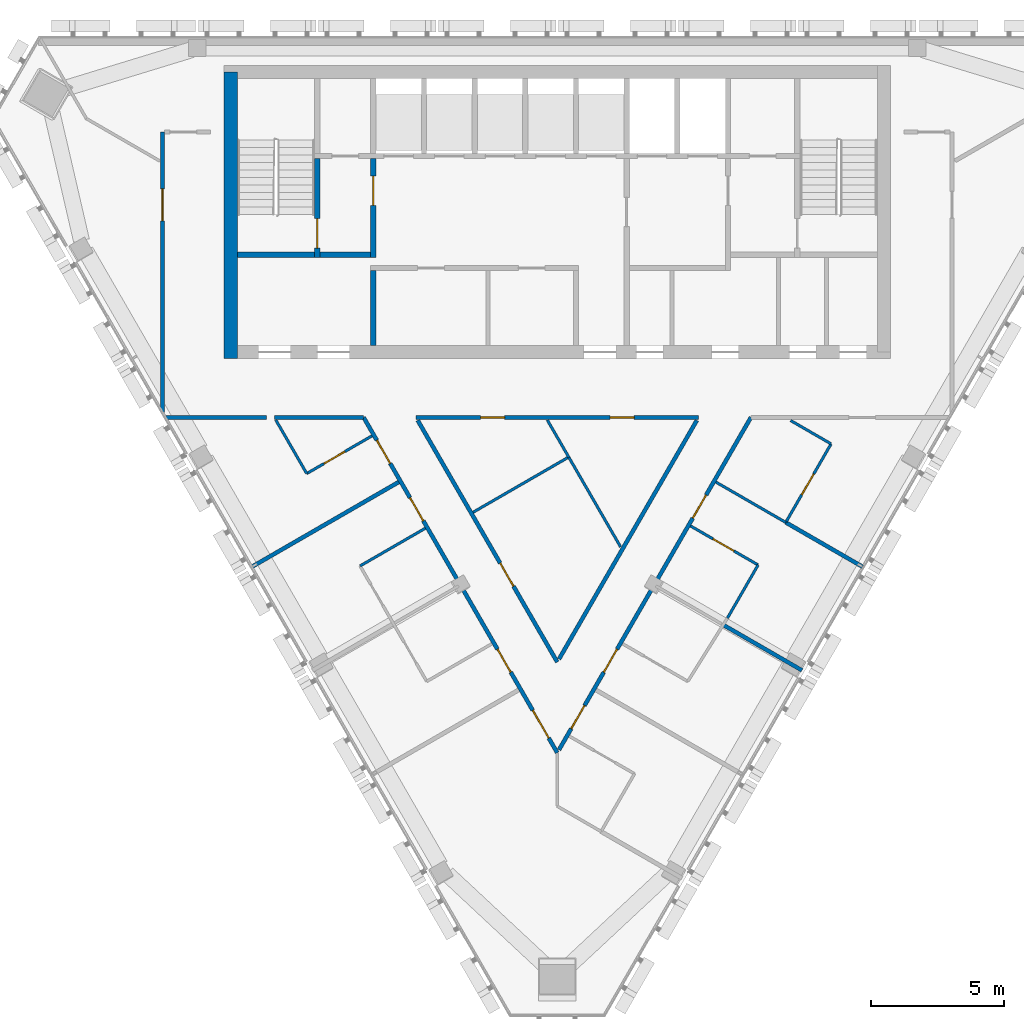
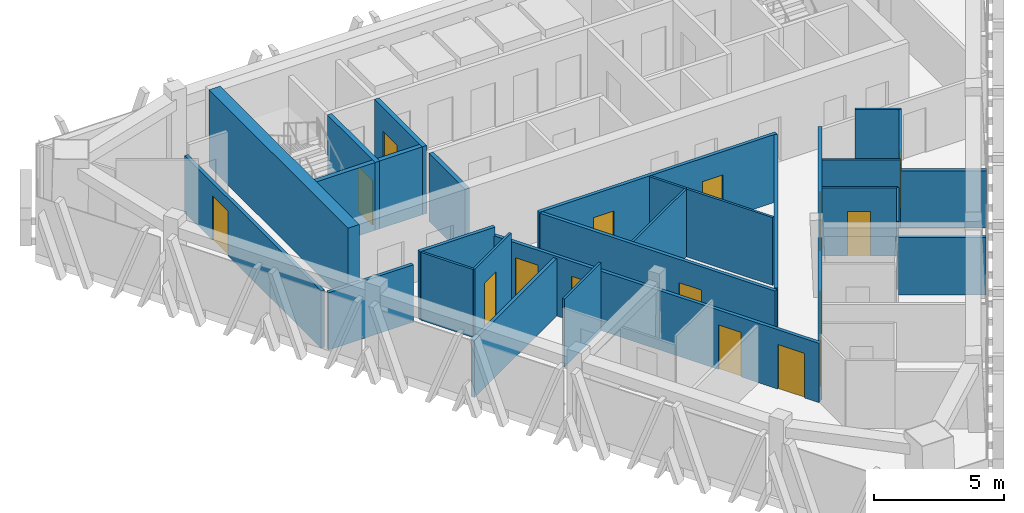
# One storey, part 6 of 11: 28 walls, 16 doors, 16 openings.
"""IFC4 building model written with IfcOpenShell, lengths in metres."""

from ifc_helpers import new_model, si_unit, direction, frame, frame_2d, origin, place, context, subcontext, project, spatial, rectangle, extrude, material, layer, layer_set, type_object, element, fill, save


model = new_model("IFC4")

# Units and contexts
model_context = context("Model", 3, precision=1e-05, world=origin(), true_north=direction((0.0, 1.0)))
body_context = subcontext(model_context, "Body", "Model", "MODEL_VIEW")
ifc_project = project(units=[si_unit("LENGTHUNIT", "METRE"), si_unit("AREAUNIT", "SQUARE_METRE"), si_unit("VOLUMEUNIT", "CUBIC_METRE"), si_unit("PLANEANGLEUNIT", "RADIAN"), si_unit("MASSUNIT", "GRAM", prefix="KILO")], contexts=[model_context])

# Site, building, storey
site_placement = place(None, origin())
site = spatial("IfcSite", under=ifc_project, at=site_placement, CompositionType="ELEMENT")
building_placement = place(site_placement, origin())
building = spatial("IfcBuilding", under=site, at=building_placement, Name="Altiplano Prism Tower", CompositionType="ELEMENT")
storey_placement = place(building_placement, frame((0.0, 0.0, 327.39990234375)))
storey = spatial("IfcBuildingStorey", under=building, at=storey_placement, Name="L85", CompositionType="ELEMENT", Elevation=327.39990234375)

# Wall
ifc_material_1 = material(Name="Concrete C60/75", Category="concrete")
ifc_layer_1 = layer(ifc_material_1, 0.5)
ifc_layer_set_1 = layer_set([ifc_layer_1], Name="Concrete C60/75")
wall_type_1 = type_object("IfcWallType", Name="Core wall 500", PredefinedType="SHEAR", material=ifc_layer_set_1)
wall_1_placement = place(storey_placement, frame((72.75, 103.64990234375, 0.0), z_axis=(0.0, 0.0, 1.0), x_axis=(0.0, -1.0, 0.0)))
element("IfcWall", 1, at=wall_1_placement, inside=storey, type_object=wall_type_1, Name="Core wall W L85", PredefinedType="SHEAR", context=body_context, shape_type="SweptSolid", body=[
    extrude(rectangle(XDim=10.75, YDim=0.5, at=frame_2d((5.375, 0.0))), origin(), (0.0, 0.0, 1.0), 3.60009765625),
])

# Wall, opening, door
ifc_material_2 = material(Name="Plasterboard on steel stud", Category="steel")
ifc_layer_2 = layer(ifc_material_2, 0.10009765625)
ifc_layer_set_2 = layer_set([ifc_layer_2], Name="Plasterboard on steel stud")
wall_type_2 = type_object("IfcWallType", Name="Partition 100 unit", PredefinedType="PARTITIONING", material=ifc_layer_set_2)
wall_2_placement = place(storey_placement, frame((78.052490234375, 90.00537109375, 0.0), z_axis=(0.0, 0.0, 1.0), x_axis=(-0.866048868473, -0.499959355765, 0.0)))
wall_2 = element("IfcWall", 2, at=wall_2_placement, inside=storey, type_object=wall_type_2, Name="Partition P02 L85 018", PredefinedType="PARTITIONING", context=body_context, shape_type="SweptSolid", body=[
    extrude(rectangle(XDim=2.824951171875, YDim=0.10009765625, at=frame_2d((1.41259765625, 0.0))), origin(), (0.0, 0.0, 1.0), 3.2001953125),
])
opening_1_placement = place(wall_2_placement, frame((1.178955078125, 0.0, 0.0)))
opening_1 = element("IfcOpeningElement", 3, at=opening_1_placement, cuts=wall_2, Name="Opening D2466", PredefinedType="OPENING", context=body_context, shape_type="SweptSolid", body=[
    extrude(rectangle(XDim=0.89990234375, YDim=2.10009765625, at=frame_2d((0.449951171875, 1.050048828125))), frame((0.0, 0.060546875, 0.0), z_axis=(0.0, -1.0, 0.0), x_axis=(1.0, 0.0, 0.0)), (0.0, 0.0, 1.0), 0.12109375),
])
ifc_material_3 = material(Name="Timber", Category="wood")
door_type_1 = type_object("IfcDoorType", Name="Ensuite door 900 x 2100", OperationType="NOTDEFINED", PredefinedType="NOTDEFINED", material=ifc_material_3)
door_1_placement = place(opening_1_placement, origin())
door_1 = element("IfcDoor", 4, at=door_1_placement, inside=storey, type_object=door_type_1, Name="Door D2466", OperationType="SINGLE_SWING_RIGHT", OverallHeight=2.10009765625, OverallWidth=0.89990234375, PredefinedType="NOTDEFINED", context=body_context, shape_type="SweptSolid", body=[
    extrude(rectangle(XDim=0.89990234375, YDim=2.10009765625, at=frame_2d((0.449951171875, 1.050048828125))), frame((0.0, 0.02490234375, 0.0), z_axis=(0.0, -1.0, 0.0), x_axis=(1.0, 0.0, 0.0)), (0.0, 0.0, 1.0), 0.050048828125),
])
fill(opening_1, door_1)

# Walls
wall_3_placement = place(storey_placement, frame((75.60595703125, 88.593017578125, 0.0), z_axis=(0.0, 0.0, 1.0), x_axis=(-0.500047673657, 0.865997877636, 0.0)))
element("IfcWall", 5, at=wall_3_placement, inside=storey, type_object=wall_type_2, Name="Partition P02 L85 019", PredefinedType="PARTITIONING", context=body_context, shape_type="SweptSolid", body=[
    extrude(rectangle(XDim=2.317626953125, YDim=0.10009765625, at=frame_2d((1.15869140625, 0.0))), origin(), (0.0, 0.0, 1.0), 3.2001953125),
])
wall_4_placement = place(storey_placement, frame((77.60595703125, 85.12890625, 0.0), z_axis=(0.0, 0.0, 1.0), x_axis=(0.866048868473, 0.499959355765, 0.0)))
element("IfcWall", 6, at=wall_4_placement, inside=storey, type_object=wall_type_2, Name="Partition P02 L85 022", PredefinedType="PARTITIONING", context=body_context, shape_type="SweptSolid", body=[
    extrude(rectangle(XDim=2.824951171875, YDim=0.10009765625, at=frame_2d((1.41259765625, 0.0))), origin(), (0.0, 0.0, 1.0), 3.2001953125),
])

# Wall, opening, door
wall_5_placement = place(storey_placement, frame((89.99755859375, 86.6279296875, 0.0), z_axis=(0.0, 0.0, 1.0), x_axis=(0.866046596414, -0.499963291492, 0.0)))
wall_5 = element("IfcWall", 7, at=wall_5_placement, inside=storey, type_object=wall_type_2, Name="Partition P02 L85 037", PredefinedType="PARTITIONING", context=body_context, shape_type="SweptSolid", body=[
    extrude(rectangle(XDim=2.925048828125, YDim=0.10009765625, at=frame_2d((1.46240234375, 0.0))), origin(), (0.0, 0.0, 1.0), 3.2001953125),
])
opening_2_placement = place(wall_5_placement, frame((0.97509765625, 0.0, 0.0)))
opening_2 = element("IfcOpeningElement", 8, at=opening_2_placement, cuts=wall_5, Name="Opening D2477", PredefinedType="OPENING", context=body_context, shape_type="SweptSolid", body=[
    extrude(rectangle(XDim=0.89990234375, YDim=2.10009765625, at=frame_2d((0.449951171875, 1.050048828125))), frame((0.0, 0.060546875, 0.0), z_axis=(0.0, -1.0, 0.0), x_axis=(1.0, 0.0, 0.0)), (0.0, 0.0, 1.0), 0.12109375),
])
door_2_placement = place(opening_2_placement, origin())
door_2 = element("IfcDoor", 9, at=door_2_placement, inside=storey, type_object=door_type_1, Name="Door D2477", OperationType="SINGLE_SWING_LEFT", OverallHeight=2.10009765625, OverallWidth=0.89990234375, PredefinedType="NOTDEFINED", context=body_context, shape_type="SweptSolid", body=[
    extrude(rectangle(XDim=0.89990234375, YDim=2.10009765625, at=frame_2d((0.449951171875, 1.050048828125))), frame((0.0, 0.02490234375, 0.0), z_axis=(0.0, -1.0, 0.0), x_axis=(1.0, 0.0, 0.0)), (0.0, 0.0, 1.0), 0.050048828125),
])
fill(opening_2, door_2)

# Walls
wall_6_placement = place(storey_placement, frame((92.53076171875, 85.16552734375, 0.0), z_axis=(0.0, 0.0, 1.0), x_axis=(-0.499952165731, -0.866053019151, 0.0)))
element("IfcWall", 10, at=wall_6_placement, inside=storey, type_object=wall_type_2, Name="Partition P02 L85 038", PredefinedType="PARTITIONING", context=body_context, shape_type="SweptSolid", body=[
    extrude(rectangle(XDim=2.300048828125, YDim=0.10009765625, at=frame_2d((1.14990234375, 0.0))), origin(), (0.0, 0.0, 1.0), 3.2001953125),
])
wall_7_placement = place(storey_placement, frame((93.74951171875, 90.581787109375, 0.0), z_axis=(0.0, 0.0, 1.0), x_axis=(0.865988405058, -0.500064078198, 0.0)))
element("IfcWall", 11, at=wall_7_placement, inside=storey, type_object=wall_type_2, Name="Partition P02 L85 041", PredefinedType="PARTITIONING", context=body_context, shape_type="SweptSolid", body=[
    extrude(rectangle(XDim=1.752685546875, YDim=0.10009765625, at=frame_2d((0.87646484375, 0.0))), origin(), (0.0, 0.0, 1.0), 3.2001953125),
])

# Wall, opening, door
wall_8_placement = place(storey_placement, frame((95.267333984375, 89.705322265625, 0.0), z_axis=(0.0, 0.0, 1.0), x_axis=(-0.500008388397, -0.866020560687, 0.0)))
wall_8 = element("IfcWall", 12, at=wall_8_placement, inside=storey, type_object=wall_type_2, Name="Partition P02 L85 042", PredefinedType="PARTITIONING", context=body_context, shape_type="SweptSolid", body=[
    extrude(rectangle(XDim=3.39990234375, YDim=0.10009765625, at=frame_2d((1.699951171875, 0.0))), origin(), (0.0, 0.0, 1.0), 3.2001953125),
])
opening_3_placement = place(wall_8_placement, frame((1.302001953125, 0.0, 0.0)))
opening_3 = element("IfcOpeningElement", 13, at=opening_3_placement, cuts=wall_8, Name="Opening D2479", PredefinedType="OPENING", context=body_context, shape_type="SweptSolid", body=[
    extrude(rectangle(XDim=0.89990234375, YDim=2.10009765625, at=frame_2d((0.449951171875, 1.050048828125))), frame((0.0, 0.060546875, 0.0), z_axis=(0.0, -1.0, 0.0), x_axis=(1.0, 0.0, 0.0)), (0.0, 0.0, 1.0), 0.12109375),
])
door_3_placement = place(opening_3_placement, origin())
door_3 = element("IfcDoor", 14, at=door_3_placement, inside=storey, type_object=door_type_1, Name="Door D2479", OperationType="SINGLE_SWING_RIGHT", OverallHeight=2.10009765625, OverallWidth=0.89990234375, PredefinedType="NOTDEFINED", context=body_context, shape_type="SweptSolid", body=[
    extrude(rectangle(XDim=0.89990234375, YDim=2.10009765625, at=frame_2d((0.449951171875, 1.050048828125))), frame((0.0, 0.02490234375, 0.0), z_axis=(0.0, -1.0, 0.0), x_axis=(1.0, 0.0, 0.0)), (0.0, 0.0, 1.0), 0.050048828125),
])
fill(opening_3, door_3)

# Walls
ifc_layer_3 = layer(ifc_material_2, 0.10009765625)
ifc_layer_set_3 = layer_set([ifc_layer_3], Name="Plasterboard on steel stud")
wall_type_3 = type_object("IfcWallType", Name="Partition 100 wet", PredefinedType="PARTITIONING", material=ifc_layer_set_3)
wall_9_placement = place(storey_placement, frame((85.43896484375, 89.193603515625, 0.0), z_axis=(0.0, 0.0, 1.0), x_axis=(-0.500021943523, 0.866012734315, 0.0)))
element("IfcWall", 15, at=wall_9_placement, inside=storey, type_object=wall_type_3, Name="Partition P03 L85 013", PredefinedType="PARTITIONING", context=body_context, shape_type="SweptSolid", body=[
    extrude(rectangle(XDim=1.623046875, YDim=0.10009765625, at=frame_2d((0.8115234375, 0.0))), origin(), (0.0, 0.0, 1.0), 3.2001953125),
])
wall_10_placement = place(storey_placement, frame((81.843505859375, 87.140869140625, 0.0), z_axis=(0.0, 0.0, 1.0), x_axis=(0.866024536972, 0.500001501361, 0.0)))
element("IfcWall", 16, at=wall_10_placement, inside=storey, type_object=wall_type_3, Name="Partition P03 L85 014", PredefinedType="PARTITIONING", context=body_context, shape_type="SweptSolid", body=[
    extrude(rectangle(XDim=4.14013671875, YDim=0.10009765625, at=frame_2d((2.070068359375, 0.0))), origin(), (0.0, 0.0, 1.0), 3.2001953125),
])
wall_11_placement = place(storey_placement, frame((85.428955078125, 89.2109375, 0.0), z_axis=(0.0, 0.0, 1.0), x_axis=(0.499982980259, -0.866035229914, 0.0)))
element("IfcWall", 17, at=wall_11_placement, inside=storey, type_object=wall_type_3, Name="Partition P03 L85 015", PredefinedType="PARTITIONING", context=body_context, shape_type="SweptSolid", body=[
    extrude(rectangle(XDim=3.893798828125, YDim=0.10009765625, at=frame_2d((1.94677734375, 0.0))), origin(), (0.0, 0.0, 1.0), 3.2001953125),
])
wall_12_placement = place(storey_placement, frame((93.5673828125, 86.760986328125, 0.0), z_axis=(0.0, 0.0, 1.0), x_axis=(-0.866024298998, 0.500001913541, 0.0)))
element("IfcWall", 18, at=wall_12_placement, inside=storey, type_object=wall_type_3, Name="Partition P03 L85 040", PredefinedType="PARTITIONING", context=body_context, shape_type="SweptSolid", body=[
    extrude(rectangle(XDim=3.02490234375, YDim=0.10009765625, at=frame_2d((1.512451171875, 0.0))), origin(), (0.0, 0.0, 1.0), 3.2001953125),
])

# Wall, openings, doors
ifc_layer_4 = layer(ifc_material_2, 0.14990234375)
ifc_layer_set_4 = layer_set([ifc_layer_4], Name="Plasterboard on steel stud")
wall_type_4 = type_object("IfcWallType", Name="Partition 150 corridor", PredefinedType="PARTITIONING", material=ifc_layer_set_4)
wall_13_placement = place(storey_placement, frame((79.70263671875, 90.698974609375, 0.0), z_axis=(0.0, 0.0, 1.0), x_axis=(1.0, 0.0, 0.0)))
wall_13 = element("IfcWall", 19, at=wall_13_placement, inside=storey, type_object=wall_type_4, Name="Partition P06 L85 001", PredefinedType="PARTITIONING", context=body_context, shape_type="SweptSolid", body=[
    extrude(rectangle(XDim=10.5947265625, YDim=0.14990234375, at=frame_2d((5.29736328125, 0.0))), origin(), (0.0, 0.0, 1.0), 3.2001953125),
])
opening_4_placement = place(wall_13_placement, frame((2.423095703125, 0.0, 0.0)))
opening_4 = element("IfcOpeningElement", 20, at=opening_4_placement, cuts=wall_13, Name="Opening D2461", PredefinedType="OPENING", context=body_context, shape_type="SweptSolid", body=[
    extrude(rectangle(XDim=0.89990234375, YDim=2.10009765625, at=frame_2d((0.449951171875, 1.050048828125))), frame((0.0, 0.08544921875, 0.0), z_axis=(0.0, -1.0, 0.0), x_axis=(1.0, 0.0, 0.0)), (0.0, 0.0, 1.0), 0.1708984375),
])
opening_5_placement = place(wall_13_placement, frame((7.281005859375, 0.0, 0.0)))
opening_5 = element("IfcOpeningElement", 21, at=opening_5_placement, cuts=wall_13, Name="Opening D2462", PredefinedType="OPENING", context=body_context, shape_type="SweptSolid", body=[
    extrude(rectangle(XDim=0.89990234375, YDim=2.10009765625, at=frame_2d((0.449951171875, 1.050048828125))), frame((0.0, 0.08544921875, 0.0), z_axis=(0.0, -1.0, 0.0), x_axis=(1.0, 0.0, 0.0)), (0.0, 0.0, 1.0), 0.1708984375),
])
door_type_2 = type_object("IfcDoorType", Name="Toilet door 900 x 2100", OperationType="NOTDEFINED", PredefinedType="NOTDEFINED", material=ifc_material_3)
door_4_placement = place(opening_4_placement, origin())
door_4 = element("IfcDoor", 22, at=door_4_placement, inside=storey, type_object=door_type_2, Name="Door D2461", OperationType="SINGLE_SWING_LEFT", OverallHeight=2.10009765625, OverallWidth=0.89990234375, PredefinedType="NOTDEFINED", context=body_context, shape_type="SweptSolid", body=[
    extrude(rectangle(XDim=0.89990234375, YDim=2.10009765625, at=frame_2d((0.449951171875, 1.050048828125))), frame((0.0, 0.02490234375, 0.0), z_axis=(0.0, -1.0, 0.0), x_axis=(1.0, 0.0, 0.0)), (0.0, 0.0, 1.0), 0.050048828125),
])
fill(opening_4, door_4)
door_5_placement = place(opening_5_placement, origin())
door_5 = element("IfcDoor", 23, at=door_5_placement, inside=storey, type_object=door_type_2, Name="Door D2462", OperationType="SINGLE_SWING_LEFT", OverallHeight=2.10009765625, OverallWidth=0.89990234375, PredefinedType="NOTDEFINED", context=body_context, shape_type="SweptSolid", body=[
    extrude(rectangle(XDim=0.89990234375, YDim=2.10009765625, at=frame_2d((0.449951171875, 1.050048828125))), frame((0.0, 0.02490234375, 0.0), z_axis=(0.0, -1.0, 0.0), x_axis=(1.0, 0.0, 0.0)), (0.0, 0.0, 1.0), 0.050048828125),
])
fill(opening_5, door_5)

# Wall
wall_14_placement = place(storey_placement, frame((90.232421875, 90.58642578125, 0.0), z_axis=(0.0, 0.0, 1.0), x_axis=(-0.500006008485, -0.866021934756, 0.0)))
element("IfcWall", 24, at=wall_14_placement, inside=storey, type_object=wall_type_4, Name="Partition P06 L85 002", PredefinedType="PARTITIONING", context=body_context, shape_type="SweptSolid", body=[
    extrude(rectangle(XDim=10.334716796875, YDim=0.14990234375, at=frame_2d((5.16748046875, 0.0))), origin(), (0.0, 0.0, 1.0), 3.2001953125),
])

# Wall, opening, door
wall_15_placement = place(storey_placement, frame((85.0, 81.52392578125, 0.0), z_axis=(0.0, 0.0, 1.0), x_axis=(-0.500013263306, 0.866017746076, 0.0)))
wall_15 = element("IfcWall", 25, at=wall_15_placement, inside=storey, type_object=wall_type_4, Name="Partition P06 L85 003", PredefinedType="PARTITIONING", context=body_context, shape_type="SweptSolid", body=[
    extrude(rectangle(XDim=10.464599609375, YDim=0.14990234375, at=frame_2d((5.232421875, 0.0))), origin(), (0.0, 0.0, 1.0), 3.2001953125),
])
opening_6_placement = place(wall_15_placement, frame((3.282958984375, 0.0, 0.0)))
opening_6 = element("IfcOpeningElement", 26, at=opening_6_placement, cuts=wall_15, Name="Opening D2463", PredefinedType="OPENING", context=body_context, shape_type="SweptSolid", body=[
    extrude(rectangle(XDim=1.0, YDim=2.10009765625, at=frame_2d((0.5, 1.050048828125))), frame((0.0, 0.08544921875, 0.0), z_axis=(0.0, -1.0, 0.0), x_axis=(1.0, 0.0, 0.0)), (0.0, 0.0, 1.0), 0.1708984375),
])
door_type_3 = type_object("IfcDoorType", Name="Store door 1000 x 2100", OperationType="NOTDEFINED", PredefinedType="NOTDEFINED", material=ifc_material_3)
door_6_placement = place(opening_6_placement, origin())
door_6 = element("IfcDoor", 27, at=door_6_placement, inside=storey, type_object=door_type_3, Name="Door D2463", OperationType="SINGLE_SWING_RIGHT", OverallHeight=2.10009765625, OverallWidth=1.0, PredefinedType="NOTDEFINED", context=body_context, shape_type="SweptSolid", body=[
    extrude(rectangle(XDim=1.0, YDim=2.10009765625, at=frame_2d((0.5, 1.050048828125))), frame((0.0, 0.02490234375, 0.0), z_axis=(0.0, -1.0, 0.0), x_axis=(1.0, 0.0, 0.0)), (0.0, 0.0, 1.0), 0.050048828125),
])
fill(opening_6, door_6)

wall_16_placement = place(storey_placement, frame((70.199462890625, 101.40087890625, 0.0), z_axis=(0.0, 0.0, 1.0), x_axis=(4.6394024e-05, -0.999999998924, 0.0)))
wall_16 = element("IfcWall", 28, at=wall_16_placement, inside=storey, type_object=wall_type_4, Name="Partition P06 L85 004", PredefinedType="PARTITIONING", context=body_context, shape_type="SweptSolid", body=[
    extrude(rectangle(XDim=10.524658203125, YDim=0.14990234375, at=frame_2d((5.26220703125, 0.0))), origin(), (0.0, 0.0, 1.0), 2.7001953125),
])
opening_7_placement = place(wall_16_placement, frame((2.131103515625, 0.0, 0.0)))
opening_7 = element("IfcOpeningElement", 29, at=opening_7_placement, cuts=wall_16, Name="Opening D2464", PredefinedType="OPENING", context=body_context, shape_type="SweptSolid", body=[
    extrude(rectangle(XDim=1.199951171875, YDim=2.10009765625, at=frame_2d((0.60009765625, 1.050048828125))), frame((0.0, 0.08544921875, 0.0), z_axis=(0.0, -1.0, 0.0), x_axis=(1.0, 0.0, 0.0)), (0.0, 0.0, 1.0), 0.1708984375),
])
door_type_4 = type_object("IfcDoorType", Name="Shared room door 1200 x 2100", OperationType="NOTDEFINED", PredefinedType="NOTDEFINED", material=ifc_material_3)
door_7_placement = place(opening_7_placement, origin())
door_7 = element("IfcDoor", 30, at=door_7_placement, inside=storey, type_object=door_type_4, Name="Door D2464", OperationType="SINGLE_SWING_RIGHT", OverallHeight=2.10009765625, OverallWidth=1.199951171875, PredefinedType="NOTDEFINED", context=body_context, shape_type="SweptSolid", body=[
    extrude(rectangle(XDim=1.199951171875, YDim=2.10009765625, at=frame_2d((0.60009765625, 1.050048828125))), frame((0.0, 0.02490234375, 0.0), z_axis=(0.0, -1.0, 0.0), x_axis=(1.0, 0.0, 0.0)), (0.0, 0.0, 1.0), 0.050048828125),
])
fill(opening_7, door_7)

# Wall
wall_17_placement = place(storey_placement, frame((70.3203125, 90.697021484375, 0.0), z_axis=(0.0, 0.0, 1.0), x_axis=(1.0, 0.0, 0.0)))
element("IfcWall", 31, at=wall_17_placement, inside=storey, type_object=wall_type_4, Name="Partition P06 L85 005", PredefinedType="PARTITIONING", context=body_context, shape_type="SweptSolid", body=[
    extrude(rectangle(XDim=3.774658203125, YDim=0.14990234375, at=frame_2d((1.88720703125, 0.0))), origin(), (0.0, 0.0, 1.0), 2.7001953125),
])

# Wall, openings, doors
wall_18_placement = place(storey_placement, frame((77.738037109375, 90.699951171875, 0.0), z_axis=(0.0, 0.0, 1.0), x_axis=(0.499998917442, -0.866026028799, 0.0)))
wall_18 = element("IfcWall", 32, at=wall_18_placement, inside=storey, type_object=wall_type_4, Name="Partition P06 L85 006", PredefinedType="PARTITIONING", context=body_context, shape_type="SweptSolid", body=[
    extrude(rectangle(XDim=14.52392578125, YDim=0.14990234375, at=frame_2d((7.261962890625, 0.0))), origin(), (0.0, 0.0, 1.0), 2.800048828125),
])
opening_8_placement = place(wall_18_placement, frame((0.993896484375, 0.0, 0.0)))
opening_8 = element("IfcOpeningElement", 33, at=opening_8_placement, cuts=wall_18, Name="Opening D2465", PredefinedType="OPENING", context=body_context, shape_type="SweptSolid", body=[
    extrude(rectangle(XDim=1.0, YDim=2.10009765625, at=frame_2d((0.5, 1.050048828125))), frame((0.0, 0.08544921875, 0.0), z_axis=(0.0, -1.0, 0.0), x_axis=(1.0, 0.0, 0.0)), (0.0, 0.0, 1.0), 0.1708984375),
])
opening_9_placement = place(wall_18_placement, frame((3.47900390625, 0.0, 0.0)))
opening_9 = element("IfcOpeningElement", 34, at=opening_9_placement, cuts=wall_18, Name="Opening D2467", PredefinedType="OPENING", context=body_context, shape_type="SweptSolid", body=[
    extrude(rectangle(XDim=1.0, YDim=2.10009765625, at=frame_2d((0.5, 1.050048828125))), frame((0.0, 0.08544921875, 0.0), z_axis=(0.0, -1.0, 0.0), x_axis=(1.0, 0.0, 0.0)), (0.0, 0.0, 1.0), 0.1708984375),
])
opening_10_placement = place(wall_18_placement, frame((10.0380859375, 0.0, 0.0)))
opening_10 = element("IfcOpeningElement", 35, at=opening_10_placement, cuts=wall_18, Name="Opening D2469", PredefinedType="OPENING", context=body_context, shape_type="SweptSolid", body=[
    extrude(rectangle(XDim=1.0, YDim=2.10009765625, at=frame_2d((0.5, 1.050048828125))), frame((0.0, 0.08544921875, 0.0), z_axis=(0.0, -1.0, 0.0), x_axis=(1.0, 0.0, 0.0)), (0.0, 0.0, 1.0), 0.1708984375),
])
opening_11_placement = place(wall_18_placement, frame((12.68310546875, 0.0, 0.0)))
opening_11 = element("IfcOpeningElement", 36, at=opening_11_placement, cuts=wall_18, Name="Opening D2471", PredefinedType="OPENING", context=body_context, shape_type="SweptSolid", body=[
    extrude(rectangle(XDim=1.199951171875, YDim=2.10009765625, at=frame_2d((0.60009765625, 1.050048828125))), frame((0.0, 0.08544921875, 0.0), z_axis=(0.0, -1.0, 0.0), x_axis=(1.0, 0.0, 0.0)), (0.0, 0.0, 1.0), 0.1708984375),
])
door_type_5 = type_object("IfcDoorType", Name="Bedroom entrance door 1000 x 2100", OperationType="NOTDEFINED", PredefinedType="NOTDEFINED", material=ifc_material_3)
door_8_placement = place(opening_8_placement, origin())
door_8 = element("IfcDoor", 37, at=door_8_placement, inside=storey, type_object=door_type_5, Name="Door D2465", OperationType="SINGLE_SWING_LEFT", OverallHeight=2.10009765625, OverallWidth=1.0, PredefinedType="NOTDEFINED", context=body_context, shape_type="SweptSolid", body=[
    extrude(rectangle(XDim=1.0, YDim=2.10009765625, at=frame_2d((0.5, 1.050048828125))), frame((0.0, 0.02490234375, 0.0), z_axis=(0.0, -1.0, 0.0), x_axis=(1.0, 0.0, 0.0)), (0.0, 0.0, 1.0), 0.050048828125),
])
fill(opening_8, door_8)
door_9_placement = place(opening_9_placement, origin())
door_9 = element("IfcDoor", 38, at=door_9_placement, inside=storey, type_object=door_type_5, Name="Door D2467", OperationType="SINGLE_SWING_RIGHT", OverallHeight=2.10009765625, OverallWidth=1.0, PredefinedType="NOTDEFINED", context=body_context, shape_type="SweptSolid", body=[
    extrude(rectangle(XDim=1.0, YDim=2.10009765625, at=frame_2d((0.5, 1.050048828125))), frame((0.0, 0.02490234375, 0.0), z_axis=(0.0, -1.0, 0.0), x_axis=(1.0, 0.0, 0.0)), (0.0, 0.0, 1.0), 0.050048828125),
])
fill(opening_9, door_9)
door_10_placement = place(opening_10_placement, origin())
door_10 = element("IfcDoor", 39, at=door_10_placement, inside=storey, type_object=door_type_5, Name="Door D2469", OperationType="SINGLE_SWING_RIGHT", OverallHeight=2.10009765625, OverallWidth=1.0, PredefinedType="NOTDEFINED", context=body_context, shape_type="SweptSolid", body=[
    extrude(rectangle(XDim=1.0, YDim=2.10009765625, at=frame_2d((0.5, 1.050048828125))), frame((0.0, 0.02490234375, 0.0), z_axis=(0.0, -1.0, 0.0), x_axis=(1.0, 0.0, 0.0)), (0.0, 0.0, 1.0), 0.050048828125),
])
fill(opening_10, door_10)
door_11_placement = place(opening_11_placement, origin())
door_11 = element("IfcDoor", 40, at=door_11_placement, inside=storey, type_object=door_type_4, Name="Door D2471", OperationType="SINGLE_SWING_RIGHT", OverallHeight=2.10009765625, OverallWidth=1.199951171875, PredefinedType="NOTDEFINED", context=body_context, shape_type="SweptSolid", body=[
    extrude(rectangle(XDim=1.199951171875, YDim=2.10009765625, at=frame_2d((0.60009765625, 1.050048828125))), frame((0.0, 0.02490234375, 0.0), z_axis=(0.0, -1.0, 0.0), x_axis=(1.0, 0.0, 0.0)), (0.0, 0.0, 1.0), 0.050048828125),
])
fill(opening_11, door_11)

# Wall
wall_19_placement = place(storey_placement, frame((74.389404296875, 90.699951171875, 0.0), z_axis=(0.0, 0.0, 1.0), x_axis=(1.0, 0.0, 0.0)))
element("IfcWall", 41, at=wall_19_placement, inside=storey, type_object=wall_type_4, Name="Partition P06 L85 007", PredefinedType="PARTITIONING", context=body_context, shape_type="SweptSolid", body=[
    extrude(rectangle(XDim=3.3486328125, YDim=0.14990234375, at=frame_2d((1.67431640625, 0.0))), origin(), (0.0, 0.0, 1.0), 3.2001953125),
])

# Wall, openings, doors
wall_20_placement = place(storey_placement, frame((85.06494140625, 78.234375, 0.0), z_axis=(0.0, 0.0, 1.0), x_axis=(0.50000092361, 0.866024870538, 0.0)))
wall_20 = element("IfcWall", 42, at=wall_20_placement, inside=storey, type_object=wall_type_4, Name="Partition P06 L85 008", PredefinedType="PARTITIONING", context=body_context, shape_type="SweptSolid", body=[
    extrude(rectangle(XDim=14.39404296875, YDim=0.14990234375, at=frame_2d((7.197021484375, 0.0))), origin(), (0.0, 0.0, 1.0), 2.800048828125),
])
opening_12_placement = place(wall_20_placement, frame((0.9150390625, 0.0, 0.0)))
opening_12 = element("IfcOpeningElement", 43, at=opening_12_placement, cuts=wall_20, Name="Opening D2472", PredefinedType="OPENING", context=body_context, shape_type="SweptSolid", body=[
    extrude(rectangle(XDim=1.0, YDim=2.10009765625, at=frame_2d((0.5, 1.050048828125))), frame((0.0, 0.08544921875, 0.0), z_axis=(0.0, -1.0, 0.0), x_axis=(1.0, 0.0, 0.0)), (0.0, 0.0, 1.0), 0.1708984375),
])
opening_13_placement = place(wall_20_placement, frame((3.35595703125, 0.0, 0.0)))
opening_13 = element("IfcOpeningElement", 44, at=opening_13_placement, cuts=wall_20, Name="Opening D2474", PredefinedType="OPENING", context=body_context, shape_type="SweptSolid", body=[
    extrude(rectangle(XDim=1.0, YDim=2.10009765625, at=frame_2d((0.5, 1.050048828125))), frame((0.0, 0.08544921875, 0.0), z_axis=(0.0, -1.0, 0.0), x_axis=(1.0, 0.0, 0.0)), (0.0, 0.0, 1.0), 0.1708984375),
])
opening_14_placement = place(wall_20_placement, frame((10.031005859375, 0.0, 0.0)))
opening_14 = element("IfcOpeningElement", 45, at=opening_14_placement, cuts=wall_20, Name="Opening D2476", PredefinedType="OPENING", context=body_context, shape_type="SweptSolid", body=[
    extrude(rectangle(XDim=1.0, YDim=2.10009765625, at=frame_2d((0.5, 1.050048828125))), frame((0.0, 0.08544921875, 0.0), z_axis=(0.0, -1.0, 0.0), x_axis=(1.0, 0.0, 0.0)), (0.0, 0.0, 1.0), 0.1708984375),
])
door_12_placement = place(opening_12_placement, origin())
door_12 = element("IfcDoor", 46, at=door_12_placement, inside=storey, type_object=door_type_5, Name="Door D2472", OperationType="SINGLE_SWING_RIGHT", OverallHeight=2.10009765625, OverallWidth=1.0, PredefinedType="NOTDEFINED", context=body_context, shape_type="SweptSolid", body=[
    extrude(rectangle(XDim=1.0, YDim=2.10009765625, at=frame_2d((0.5, 1.050048828125))), frame((0.0, 0.02490234375, 0.0), z_axis=(0.0, -1.0, 0.0), x_axis=(1.0, 0.0, 0.0)), (0.0, 0.0, 1.0), 0.050048828125),
])
fill(opening_12, door_12)
door_13_placement = place(opening_13_placement, origin())
door_13 = element("IfcDoor", 47, at=door_13_placement, inside=storey, type_object=door_type_5, Name="Door D2474", OperationType="SINGLE_SWING_RIGHT", OverallHeight=2.10009765625, OverallWidth=1.0, PredefinedType="NOTDEFINED", context=body_context, shape_type="SweptSolid", body=[
    extrude(rectangle(XDim=1.0, YDim=2.10009765625, at=frame_2d((0.5, 1.050048828125))), frame((0.0, 0.02490234375, 0.0), z_axis=(0.0, -1.0, 0.0), x_axis=(1.0, 0.0, 0.0)), (0.0, 0.0, 1.0), 0.050048828125),
])
fill(opening_13, door_13)
door_14_placement = place(opening_14_placement, origin())
door_14 = element("IfcDoor", 48, at=door_14_placement, inside=storey, type_object=door_type_5, Name="Door D2476", OperationType="SINGLE_SWING_RIGHT", OverallHeight=2.10009765625, OverallWidth=1.0, PredefinedType="NOTDEFINED", context=body_context, shape_type="SweptSolid", body=[
    extrude(rectangle(XDim=1.0, YDim=2.10009765625, at=frame_2d((0.5, 1.050048828125))), frame((0.0, 0.02490234375, 0.0), z_axis=(0.0, -1.0, 0.0), x_axis=(1.0, 0.0, 0.0)), (0.0, 0.0, 1.0), 0.050048828125),
])
fill(opening_14, door_14)

# Walls
ifc_layer_5 = layer(ifc_material_2, 0.14990234375)
ifc_layer_set_5 = layer_set([ifc_layer_5], Name="Plasterboard on steel stud")
wall_type_5 = type_object("IfcWallType", Name="Partition 150 party", PredefinedType="PARTITIONING", material=ifc_layer_set_5)
wall_21_placement = place(storey_placement, frame((73.557373046875, 85.100830078125, 0.0), z_axis=(0.0, 0.0, 1.0), x_axis=(0.866025401434, 0.500000004071, 0.0)))
element("IfcWall", 49, at=wall_21_placement, inside=storey, type_object=wall_type_5, Name="Partition P01 L85 020", PredefinedType="PARTITIONING", context=body_context, shape_type="SweptSolid", body=[
    extrude(rectangle(XDim=6.34521484375, YDim=0.14990234375, at=frame_2d((3.172607421875, 0.0))), origin(), (0.0, 0.0, 1.0), 2.7001953125),
])
wall_22_placement = place(storey_placement, frame((94.17529296875, 81.2138671875, 0.0), z_axis=(0.0, 0.0, 1.0), x_axis=(-0.866038511948, 0.499977295307, 0.0)))
element("IfcWall", 50, at=wall_22_placement, inside=storey, type_object=wall_type_5, Name="Partition P01 L85 035", PredefinedType="PARTITIONING", context=body_context, shape_type="SweptSolid", body=[
    extrude(rectangle(XDim=3.400146484375, YDim=0.14990234375, at=frame_2d((1.7001953125, 0.0))), origin(), (0.0, 0.0, 1.0), 2.7001953125),
])
wall_23_placement = place(storey_placement, frame((96.442626953125, 85.100830078125, 0.0), z_axis=(0.0, 0.0, 1.0), x_axis=(-0.866008021857, 0.500030105173, 0.0)))
element("IfcWall", 51, at=wall_23_placement, inside=storey, type_object=wall_type_5, Name="Partition P01 L85 039", PredefinedType="PARTITIONING", context=body_context, shape_type="SweptSolid", body=[
    extrude(rectangle(XDim=3.320068359375, YDim=0.14990234375, at=frame_2d((1.66015625, 0.0))), origin(), (0.0, 0.0, 1.0), 2.7001953125),
])
ifc_layer_6 = layer(ifc_material_1, 0.199951171875)
ifc_layer_set_6 = layer_set([ifc_layer_6], Name="Concrete C60/75")
wall_type_6 = type_object("IfcWallType", Name="Stair wall 200", PredefinedType="SOLIDWALL", material=ifc_layer_set_6)
wall_24_placement = place(storey_placement, frame((73.0, 96.800048828125, 0.0), z_axis=(0.0, 0.0, 1.0), x_axis=(1.0, 0.0, 0.0)))
element("IfcWall", 52, at=wall_24_placement, inside=storey, type_object=wall_type_6, Name="Stair wall L85", PredefinedType="SOLIDWALL", context=body_context, shape_type="SweptSolid", body=[
    extrude(rectangle(XDim=2.89990234375, YDim=0.199951171875, at=frame_2d((1.449951171875, 0.0))), origin(), (0.0, 0.0, 1.0), 3.2001953125),
])

# Wall, opening, door
wall_25_placement = place(storey_placement, frame((76.0, 96.699951171875, 0.0), z_axis=(0.0, 0.0, 1.0), x_axis=(0.0, 1.0, 0.0)))
wall_25 = element("IfcWall", 53, at=wall_25_placement, inside=storey, type_object=wall_type_6, Name="Stair wall L85", PredefinedType="SOLIDWALL", context=body_context, shape_type="SweptSolid", body=[
    extrude(rectangle(XDim=3.699951171875, YDim=0.199951171875, at=frame_2d((1.85009765625, 0.0))), origin(), (0.0, 0.0, 1.0), 3.2001953125),
])
opening_15_placement = place(wall_25_placement, frame((0.35009765625, 0.0, 0.0)))
opening_15 = element("IfcOpeningElement", 54, at=opening_15_placement, cuts=wall_25, Name="Opening D3784", PredefinedType="OPENING", context=body_context, shape_type="SweptSolid", body=[
    extrude(rectangle(XDim=1.10009765625, YDim=2.10009765625, at=frame_2d((0.550048828125, 1.050048828125))), frame((0.0, 0.1103515625, 0.0), z_axis=(0.0, -1.0, 0.0), x_axis=(1.0, 0.0, 0.0)), (0.0, 0.0, 1.0), 0.220947265625),
])
ifc_material_4 = material(Name="Fire-rated steel door", Category="steel")
door_type_6 = type_object("IfcDoorType", Name="Stair fire door 1100 x 2100", OperationType="NOTDEFINED", PredefinedType="NOTDEFINED", material=ifc_material_4)
door_15_placement = place(opening_15_placement, origin())
door_15 = element("IfcDoor", 55, at=door_15_placement, inside=storey, type_object=door_type_6, Name="Stair fire door D3784", OperationType="SINGLE_SWING_RIGHT", OverallHeight=2.10009765625, OverallWidth=1.10009765625, PredefinedType="NOTDEFINED", context=body_context, shape_type="SweptSolid", body=[
    extrude(rectangle(XDim=1.10009765625, YDim=2.10009765625, at=frame_2d((0.550048828125, 1.050048828125))), frame((0.0, 0.02490234375, 0.0), z_axis=(0.0, -1.0, 0.0), x_axis=(1.0, 0.0, 0.0)), (0.0, 0.0, 1.0), 0.050048828125),
])
fill(opening_15, door_15)

# Walls
ifc_layer_7 = layer(ifc_material_1, 0.199951171875)
ifc_layer_set_7 = layer_set([ifc_layer_7], Name="Concrete C60/75")
wall_type_7 = type_object("IfcWallType", Name="Vestibule wall 200", PredefinedType="PARTITIONING", material=ifc_layer_set_7)
wall_26_placement = place(storey_placement, frame((78.10009765625, 93.39990234375, 0.0), z_axis=(0.0, 0.0, 1.0), x_axis=(0.0, 1.0, 0.0)))
element("IfcWall", 56, at=wall_26_placement, inside=storey, type_object=wall_type_7, Name="Vestibule wall L85", PredefinedType="PARTITIONING", context=body_context, shape_type="SweptSolid", body=[
    extrude(rectangle(XDim=2.800048828125, YDim=0.199951171875, at=frame_2d((1.39990234375, 0.0))), origin(), (0.0, 0.0, 1.0), 3.2001953125),
])
wall_27_placement = place(storey_placement, frame((76.10009765625, 96.800048828125, 0.0), z_axis=(0.0, 0.0, 1.0), x_axis=(1.0, 0.0, 0.0)))
element("IfcWall", 57, at=wall_27_placement, inside=storey, type_object=wall_type_7, Name="Vestibule wall L85", PredefinedType="PARTITIONING", context=body_context, shape_type="SweptSolid", body=[
    extrude(rectangle(XDim=1.89990234375, YDim=0.199951171875, at=frame_2d((0.949951171875, 0.0))), origin(), (0.0, 0.0, 1.0), 3.2001953125),
])

# Wall, opening, door
wall_28_placement = place(storey_placement, frame((78.10009765625, 96.699951171875, 0.0), z_axis=(0.0, 0.0, 1.0), x_axis=(0.0, 1.0, 0.0)))
wall_28 = element("IfcWall", 58, at=wall_28_placement, inside=storey, type_object=wall_type_7, Name="Vestibule wall L85", PredefinedType="PARTITIONING", context=body_context, shape_type="SweptSolid", body=[
    extrude(rectangle(XDim=3.699951171875, YDim=0.199951171875, at=frame_2d((1.85009765625, 0.0))), origin(), (0.0, 0.0, 1.0), 3.2001953125),
])
opening_16_placement = place(wall_28_placement, frame((1.949951171875, 0.0, 0.0)))
opening_16 = element("IfcOpeningElement", 59, at=opening_16_placement, cuts=wall_28, Name="Opening D3786", PredefinedType="OPENING", context=body_context, shape_type="SweptSolid", body=[
    extrude(rectangle(XDim=1.10009765625, YDim=2.10009765625, at=frame_2d((0.550048828125, 1.050048828125))), frame((0.0, 0.1103515625, 0.0), z_axis=(0.0, -1.0, 0.0), x_axis=(1.0, 0.0, 0.0)), (0.0, 0.0, 1.0), 0.220947265625),
])
door_type_7 = type_object("IfcDoorType", Name="Vestibule fire door 1100 x 2100", OperationType="NOTDEFINED", PredefinedType="NOTDEFINED", material=ifc_material_4)
door_16_placement = place(opening_16_placement, origin())
door_16 = element("IfcDoor", 60, at=door_16_placement, inside=storey, type_object=door_type_7, Name="Vestibule fire door D3786", OperationType="SINGLE_SWING_LEFT", OverallHeight=2.10009765625, OverallWidth=1.10009765625, PredefinedType="NOTDEFINED", context=body_context, shape_type="SweptSolid", body=[
    extrude(rectangle(XDim=1.10009765625, YDim=2.10009765625, at=frame_2d((0.550048828125, 1.050048828125))), frame((0.0, 0.02490234375, 0.0), z_axis=(0.0, -1.0, 0.0), x_axis=(1.0, 0.0, 0.0)), (0.0, 0.0, 1.0), 0.050048828125),
])
fill(opening_16, door_16)

save(model, "model.ifc")
